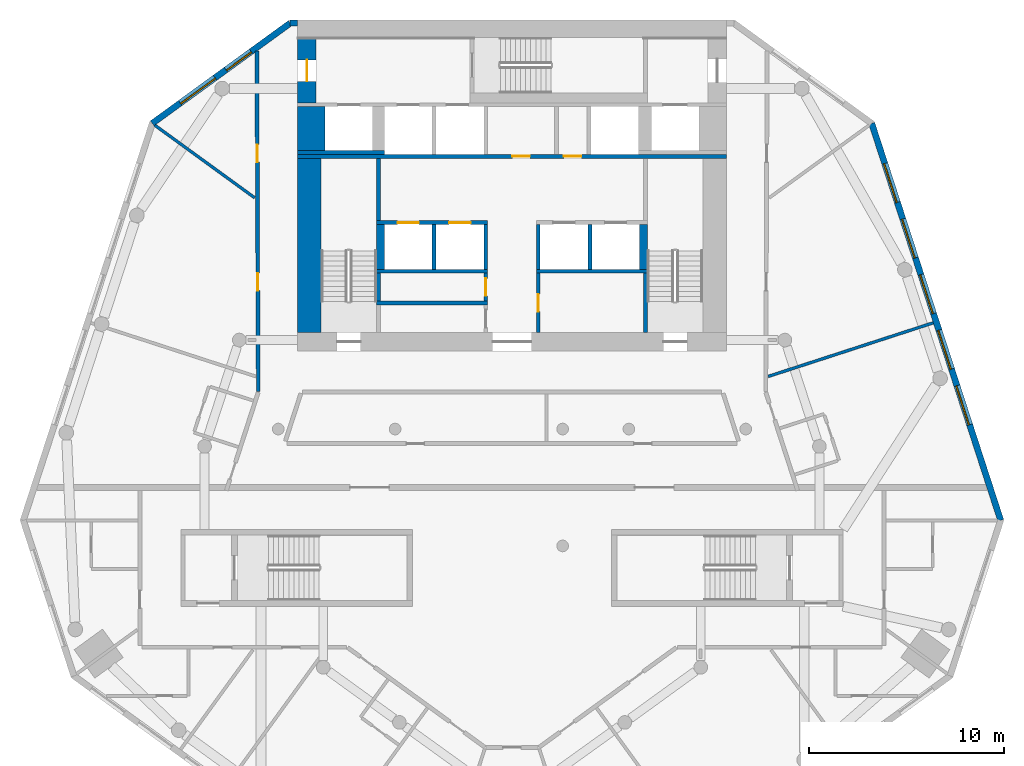
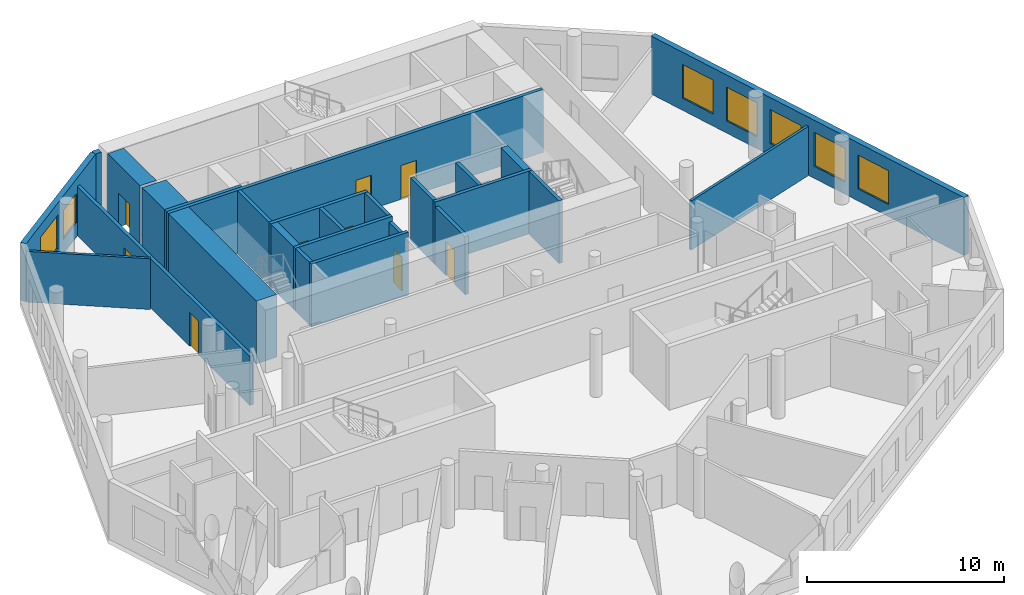
# One storey, part 5 of 9: 26 walls, 9 doors, 7 windows, 16 openings.
"""IFC4 building model written with IfcOpenShell, lengths in metres."""

from ifc_helpers import new_model, si_unit, direction, frame, frame_2d, origin, place, context, subcontext, project, spatial, rectangle, extrude, material, layer, layer_set, type_object, element, fill, save


model = new_model("IFC4")

# Units and contexts
model_context = context("Model", 3, precision=1e-05, world=origin(), true_north=direction((0.0, 1.0)))
body_context = subcontext(model_context, "Body", "Model", "MODEL_VIEW")
ifc_project = project(units=[si_unit("LENGTHUNIT", "METRE"), si_unit("AREAUNIT", "SQUARE_METRE"), si_unit("VOLUMEUNIT", "CUBIC_METRE"), si_unit("PLANEANGLEUNIT", "RADIAN"), si_unit("MASSUNIT", "GRAM", prefix="KILO")], contexts=[model_context])

# Site, building, storey
site_placement = place(None, origin())
site = spatial("IfcSite", under=ifc_project, at=site_placement, CompositionType="ELEMENT")
building_placement = place(site_placement, origin())
building = spatial("IfcBuilding", under=site, at=building_placement, Name="White Candle Pilgrim Tower", CompositionType="ELEMENT")
storey_placement = place(building_placement, frame((0.0, 0.0, 179.800048828125)))
storey = spatial("IfcBuildingStorey", under=building, at=storey_placement, Name="L41", CompositionType="ELEMENT", Elevation=179.800048828125)

# Walls
ifc_material_1 = material(Name="Concrete C60/75", Category="concrete")
ifc_layer_1 = layer(ifc_material_1, 1.39990234375)
ifc_layer_set_1 = layer_set([ifc_layer_1], Name="Core wall 1400 mm Concrete C60/75")
wall_type_1 = type_object("IfcWallType", Name="Core wall 1400 mm Concrete C60/75", PredefinedType="SHEAR", material=ifc_layer_set_1)
wall_1_placement = place(storey_placement, frame((59.699951171875, 81.300048828125, 0.0), z_axis=(0.0, 0.0, 1.0), x_axis=(0.0, 1.0, 0.0)))
element("IfcWall", 1, at=wall_1_placement, inside=storey, type_object=wall_type_1, Name="WL-L41-C40", PredefinedType="SHEAR", context=body_context, shape_type="SweptSolid", body=[
    extrude(rectangle(XDim=2.25, YDim=1.39990234375, at=frame_2d((1.125, 0.0))), origin(), (0.0, 0.0, 1.0), 3.89990234375),
])
ifc_layer_2 = layer(ifc_material_1, 0.199951171875)
ifc_layer_set_2 = layer_set([ifc_layer_2], Name="Core wall 200 mm Concrete C60/75")
wall_type_2 = type_object("IfcWallType", Name="Core wall 200 mm Concrete C60/75", PredefinedType="SHEAR", material=ifc_layer_set_2)
wall_2_placement = place(storey_placement, frame((59.0, 81.199951171875, 0.0), z_axis=(0.0, 0.0, 1.0), x_axis=(1.0, 0.0, 0.0)))
element("IfcWall", 2, at=wall_2_placement, inside=storey, type_object=wall_type_2, Name="WL-L41-C34", PredefinedType="SHEAR", context=body_context, shape_type="SweptSolid", body=[
    extrude(rectangle(XDim=4.449951171875, YDim=0.199951171875, at=frame_2d((2.22509765625, 0.0))), origin(), (0.0, 0.0, 1.0), 3.89990234375),
])

# Wall, opening, door
ifc_layer_3 = layer(ifc_material_1, 0.949951171875)
ifc_layer_set_3 = layer_set([ifc_layer_3], Name="Core wall 950 mm Concrete C60/75")
wall_type_3 = type_object("IfcWallType", Name="Core wall 950 mm Concrete C60/75", PredefinedType="SHEAR", material=ifc_layer_set_3)
wall_3_placement = place(storey_placement, frame((59.47509765625, 83.75, 0.0), z_axis=(0.0, 0.0, 1.0), x_axis=(0.0, 1.0, 0.0)))
wall_3 = element("IfcWall", 3, at=wall_3_placement, inside=storey, type_object=wall_type_3, Name="WL-L41-C45", PredefinedType="SHEAR", context=body_context, shape_type="SweptSolid", body=[
    extrude(rectangle(XDim=3.300048828125, YDim=0.949951171875, at=frame_2d((1.64990234375, 0.0))), origin(), (0.0, 0.0, 1.0), 3.89990234375),
])
opening_1_placement = place(wall_3_placement, frame((1.10009765625, 0.0, 0.0)))
opening_1 = element("IfcOpeningElement", 4, at=opening_1_placement, cuts=wall_3, Name="Opening T12-008", PredefinedType="OPENING", context=body_context, shape_type="SweptSolid", body=[
    extrude(rectangle(XDim=1.10009765625, YDim=2.10009765625, at=frame_2d((0.550048828125, 1.050048828125))), frame((0.0, 0.48486328125, 0.0), z_axis=(0.0, -1.0, 0.0), x_axis=(1.0, 0.0, 0.0)), (0.0, 0.0, 1.0), 0.969970703125),
])
ifc_material_2 = material(Name="Steel door leaf", Category="steel")
door_type_1 = type_object("IfcDoorType", Name="Fire door 1100 x 2100 EI 60", OperationType="NOTDEFINED", PredefinedType="DOOR", material=ifc_material_2)
door_1_placement = place(opening_1_placement, origin())
door_1 = element("IfcDoor", 5, at=door_1_placement, inside=storey, type_object=door_type_1, Name="Door T12-008", OperationType="SINGLE_SWING_RIGHT", OverallHeight=2.10009765625, OverallWidth=1.10009765625, PredefinedType="DOOR", context=body_context, shape_type="SweptSolid", body=[
    extrude(rectangle(XDim=1.10009765625, YDim=2.10009765625, at=frame_2d((0.550048828125, 1.050048828125))), frame((0.0, 0.02490234375, 0.0), z_axis=(0.0, -1.0, 0.0), x_axis=(1.0, 0.0, 0.0)), (0.0, 0.0, 1.0), 0.050048828125),
])
fill(opening_1, door_1)

# Wall, openings, doors
ifc_material_3 = material(Name="Gypsum board on steel studs", Category="steel")
ifc_layer_4 = layer(ifc_material_3, 0.199951171875)
ifc_layer_set_4 = layer_set([ifc_layer_4], Name="Corridor wall 200 mm EI 45")
wall_type_4 = type_object("IfcWallType", Name="Corridor wall 200 mm EI 45", PredefinedType="PARTITIONING", material=ifc_layer_set_4)
wall_4_placement = place(storey_placement, frame((56.975341796875, 68.916015625, 0.0), z_axis=(0.0, 0.0, 1.0), x_axis=(-0.004315662543, 0.999990687485, 0.0)))
wall_4 = element("IfcWall", 6, at=wall_4_placement, inside=storey, type_object=wall_type_4, Name="WL-L41-P003", PredefinedType="PARTITIONING", context=body_context, shape_type="SweptSolid", body=[
    extrude(rectangle(XDim=17.48046875, YDim=0.199951171875, at=frame_2d((8.740234375, 0.0))), origin(), (0.0, 0.0, 1.0), 3.050048828125),
])
opening_2_placement = place(wall_4_placement, frame((5.194580078125, 0.0, 0.0)))
opening_2 = element("IfcOpeningElement", 7, at=opening_2_placement, cuts=wall_4, Name="Opening T12-123", PredefinedType="OPENING", context=body_context, shape_type="SweptSolid", body=[
    extrude(rectangle(XDim=0.89990234375, YDim=2.10009765625, at=frame_2d((0.449951171875, 1.050048828125))), frame((0.0, 0.10986328125, 0.0), z_axis=(0.0, -1.0, 0.0), x_axis=(1.0, 0.0, 0.0)), (0.0, 0.0, 1.0), 0.219970703125),
])
opening_3_placement = place(wall_4_placement, frame((11.7861328125, 0.0, 0.0)))
opening_3 = element("IfcOpeningElement", 8, at=opening_3_placement, cuts=wall_4, Name="Opening T12-124", PredefinedType="OPENING", context=body_context, shape_type="SweptSolid", body=[
    extrude(rectangle(XDim=0.89990234375, YDim=2.10009765625, at=frame_2d((0.449951171875, 1.050048828125))), frame((0.0, 0.10986328125, 0.0), z_axis=(0.0, -1.0, 0.0), x_axis=(1.0, 0.0, 0.0)), (0.0, 0.0, 1.0), 0.219970703125),
])
door_type_2 = type_object("IfcDoorType", Name="Fire door 900 x 2100 EI 30", OperationType="NOTDEFINED", PredefinedType="DOOR", material=ifc_material_2)
door_2_placement = place(opening_2_placement, origin())
door_2 = element("IfcDoor", 9, at=door_2_placement, inside=storey, type_object=door_type_2, Name="Door T12-123", OperationType="SINGLE_SWING_LEFT", OverallHeight=2.10009765625, OverallWidth=0.89990234375, PredefinedType="DOOR", context=body_context, shape_type="SweptSolid", body=[
    extrude(rectangle(XDim=0.89990234375, YDim=2.10009765625, at=frame_2d((0.449951171875, 1.050048828125))), frame((0.0, 0.02490234375, 0.0), z_axis=(0.0, -1.0, 0.0), x_axis=(1.0, 0.0, 0.0)), (0.0, 0.0, 1.0), 0.050048828125),
])
fill(opening_2, door_2)
door_3_placement = place(opening_3_placement, origin())
door_3 = element("IfcDoor", 10, at=door_3_placement, inside=storey, type_object=door_type_2, Name="Door T12-124", OperationType="SINGLE_SWING_RIGHT", OverallHeight=2.10009765625, OverallWidth=0.89990234375, PredefinedType="DOOR", context=body_context, shape_type="SweptSolid", body=[
    extrude(rectangle(XDim=0.89990234375, YDim=2.10009765625, at=frame_2d((0.449951171875, 1.050048828125))), frame((0.0, 0.02490234375, 0.0), z_axis=(0.0, -1.0, 0.0), x_axis=(1.0, 0.0, 0.0)), (0.0, 0.0, 1.0), 0.050048828125),
])
fill(opening_3, door_3)

# Wall, openings, windows
ifc_material_4 = material(Name="Precast concrete C40/50", Category="concrete")
ifc_layer_5 = layer(ifc_material_4, 0.320068359375)
ifc_layer_set_5 = layer_set([ifc_layer_5], Name="Facade wall EW1 precast concrete C40/50 pier wall with timber-lined reveals")
wall_type_5 = type_object("IfcWallType", Name="Facade wall EW1 precast concrete C40/50 pier wall with timber-lined reveals", PredefinedType="SOLIDWALL", material=ifc_layer_set_5)
wall_5_placement = place(storey_placement, frame((95.090087890625, 62.314453125, 0.0), z_axis=(0.0, 0.0, 1.0), x_axis=(-0.309016769675, 0.951056589304, 0.0)))
wall_5 = element("IfcWall", 11, at=wall_5_placement, inside=storey, type_object=wall_type_5, Name="Facade wall L41 ENE", PredefinedType="SOLIDWALL", context=body_context, shape_type="SweptSolid", body=[
    extrude(rectangle(XDim=21.427978515625, YDim=0.320068359375, at=frame_2d((10.7138671875, 0.0))), origin(), (0.0, 0.0, 1.0), 3.599853515625),
])
opening_4_placement = place(wall_5_placement, frame((5.163818359375, 0.0, 0.75)))
opening_4 = element("IfcOpeningElement", 12, at=opening_4_placement, cuts=wall_5, Name="Opening W3", PredefinedType="OPENING", context=body_context, shape_type="SweptSolid", body=[
    extrude(rectangle(XDim=2.10009765625, YDim=2.10009765625, at=frame_2d((1.050048828125, 1.050048828125))), frame((0.0, 0.169921875, 0.0), z_axis=(0.0, -1.0, 0.0), x_axis=(1.0, 0.0, 0.0)), (0.0, 0.0, 1.0), 0.340087890625),
])
opening_5_placement = place(wall_5_placement, frame((8.163818359375, 0.0, 0.75)))
opening_5 = element("IfcOpeningElement", 13, at=opening_5_placement, cuts=wall_5, Name="Opening W3", PredefinedType="OPENING", context=body_context, shape_type="SweptSolid", body=[
    extrude(rectangle(XDim=2.10009765625, YDim=2.10009765625, at=frame_2d((1.050048828125, 1.050048828125))), frame((0.0, 0.169921875, 0.0), z_axis=(0.0, -1.0, 0.0), x_axis=(1.0, 0.0, 0.0)), (0.0, 0.0, 1.0), 0.340087890625),
])
opening_6_placement = place(wall_5_placement, frame((11.163818359375, 0.0, 0.75)))
opening_6 = element("IfcOpeningElement", 14, at=opening_6_placement, cuts=wall_5, Name="Opening W3", PredefinedType="OPENING", context=body_context, shape_type="SweptSolid", body=[
    extrude(rectangle(XDim=2.10009765625, YDim=2.10009765625, at=frame_2d((1.050048828125, 1.050048828125))), frame((0.0, 0.169921875, 0.0), z_axis=(0.0, -1.0, 0.0), x_axis=(1.0, 0.0, 0.0)), (0.0, 0.0, 1.0), 0.340087890625),
])
opening_7_placement = place(wall_5_placement, frame((14.163818359375, 0.0, 0.75)))
opening_7 = element("IfcOpeningElement", 15, at=opening_7_placement, cuts=wall_5, Name="Opening W3", PredefinedType="OPENING", context=body_context, shape_type="SweptSolid", body=[
    extrude(rectangle(XDim=2.10009765625, YDim=2.10009765625, at=frame_2d((1.050048828125, 1.050048828125))), frame((0.0, 0.169921875, 0.0), z_axis=(0.0, -1.0, 0.0), x_axis=(1.0, 0.0, 0.0)), (0.0, 0.0, 1.0), 0.340087890625),
])
opening_8_placement = place(wall_5_placement, frame((17.163818359375, 0.0, 0.75)))
opening_8 = element("IfcOpeningElement", 16, at=opening_8_placement, cuts=wall_5, Name="Opening W3", PredefinedType="OPENING", context=body_context, shape_type="SweptSolid", body=[
    extrude(rectangle(XDim=2.10009765625, YDim=2.10009765625, at=frame_2d((1.050048828125, 1.050048828125))), frame((0.0, 0.169921875, 0.0), z_axis=(0.0, -1.0, 0.0), x_axis=(1.0, 0.0, 0.0)), (0.0, 0.0, 1.0), 0.340087890625),
])
ifc_material_5 = material(Name="Timber frame with triple glazing", Category="wood")
window_type_1 = type_object("IfcWindowType", Name="Window W3 2100x2100 timber frame triple glazing", PartitioningType="SINGLE_PANEL", PredefinedType="WINDOW", material=ifc_material_5)
window_1_placement = place(opening_4_placement, origin())
window_1 = element("IfcWindow", 17, at=window_1_placement, inside=storey, type_object=window_type_1, Name="Window W3 L41 ENE 2", OverallHeight=2.10009765625, OverallWidth=2.10009765625, PartitioningType="SINGLE_PANEL", PredefinedType="WINDOW", context=body_context, shape_type="SweptSolid", body=[
    extrude(rectangle(XDim=2.10009765625, YDim=2.10009765625, at=frame_2d((1.050048828125, 1.050048828125))), frame((0.0, 0.070068359375, 0.0), z_axis=(0.0, -1.0, 0.0), x_axis=(1.0, 0.0, 0.0)), (0.0, 0.0, 1.0), 0.06005859375),
])
fill(opening_4, window_1)
window_2_placement = place(opening_5_placement, origin())
window_2 = element("IfcWindow", 18, at=window_2_placement, inside=storey, type_object=window_type_1, Name="Window W3 L41 ENE 3", OverallHeight=2.10009765625, OverallWidth=2.10009765625, PartitioningType="SINGLE_PANEL", PredefinedType="WINDOW", context=body_context, shape_type="SweptSolid", body=[
    extrude(rectangle(XDim=2.10009765625, YDim=2.10009765625, at=frame_2d((1.050048828125, 1.050048828125))), frame((0.0, 0.070068359375, 0.0), z_axis=(0.0, -1.0, 0.0), x_axis=(1.0, 0.0, 0.0)), (0.0, 0.0, 1.0), 0.06005859375),
])
fill(opening_5, window_2)
window_3_placement = place(opening_6_placement, origin())
window_3 = element("IfcWindow", 19, at=window_3_placement, inside=storey, type_object=window_type_1, Name="Window W3 L41 ENE 4", OverallHeight=2.10009765625, OverallWidth=2.10009765625, PartitioningType="SINGLE_PANEL", PredefinedType="WINDOW", context=body_context, shape_type="SweptSolid", body=[
    extrude(rectangle(XDim=2.10009765625, YDim=2.10009765625, at=frame_2d((1.050048828125, 1.050048828125))), frame((0.0, 0.070068359375, 0.0), z_axis=(0.0, -1.0, 0.0), x_axis=(1.0, 0.0, 0.0)), (0.0, 0.0, 1.0), 0.06005859375),
])
fill(opening_6, window_3)
window_4_placement = place(opening_7_placement, origin())
window_4 = element("IfcWindow", 20, at=window_4_placement, inside=storey, type_object=window_type_1, Name="Window W3 L41 ENE 5", OverallHeight=2.10009765625, OverallWidth=2.10009765625, PartitioningType="SINGLE_PANEL", PredefinedType="WINDOW", context=body_context, shape_type="SweptSolid", body=[
    extrude(rectangle(XDim=2.10009765625, YDim=2.10009765625, at=frame_2d((1.050048828125, 1.050048828125))), frame((0.0, 0.070068359375, 0.0), z_axis=(0.0, -1.0, 0.0), x_axis=(1.0, 0.0, 0.0)), (0.0, 0.0, 1.0), 0.06005859375),
])
fill(opening_7, window_4)
window_5_placement = place(opening_8_placement, origin())
window_5 = element("IfcWindow", 21, at=window_5_placement, inside=storey, type_object=window_type_1, Name="Window W3 L41 ENE 6", OverallHeight=2.10009765625, OverallWidth=2.10009765625, PartitioningType="SINGLE_PANEL", PredefinedType="WINDOW", context=body_context, shape_type="SweptSolid", body=[
    extrude(rectangle(XDim=2.10009765625, YDim=2.10009765625, at=frame_2d((1.050048828125, 1.050048828125))), frame((0.0, 0.070068359375, 0.0), z_axis=(0.0, -1.0, 0.0), x_axis=(1.0, 0.0, 0.0)), (0.0, 0.0, 1.0), 0.06005859375),
])
fill(opening_8, window_5)

# Wall
wall_6_placement = place(storey_placement, frame((59.0, 87.840087890625, 0.0), z_axis=(0.0, 0.0, 1.0), x_axis=(-1.0, 0.0, 0.0)))
element("IfcWall", 22, at=wall_6_placement, inside=storey, type_object=wall_type_5, Name="Facade wall L41 N", PredefinedType="SOLIDWALL", context=body_context, shape_type="SweptSolid", body=[
    extrude(rectangle(XDim=0.385009765625, YDim=0.320068359375, at=frame_2d((0.1923828125, 0.0))), origin(), (0.0, 0.0, 1.0), 3.599853515625),
])

# Wall, openings, windows
wall_7_placement = place(storey_placement, frame((58.614990234375, 87.840087890625, 0.0), z_axis=(0.0, 0.0, 1.0), x_axis=(-0.809015733499, -0.587786987735, 0.0)))
wall_7 = element("IfcWall", 23, at=wall_7_placement, inside=storey, type_object=wall_type_5, Name="Facade wall L41 NW chamfer", PredefinedType="SOLIDWALL", context=body_context, shape_type="SweptSolid", body=[
    extrude(rectangle(XDim=8.755615234375, YDim=0.320068359375, at=frame_2d((4.3779296875, 0.0))), origin(), (0.0, 0.0, 1.0), 3.599853515625),
])
opening_9_placement = place(wall_7_placement, frame((2.477783203125, 0.0, 0.89990234375)))
opening_9 = element("IfcOpeningElement", 24, at=opening_9_placement, cuts=wall_7, Name="Opening W2", PredefinedType="OPENING", context=body_context, shape_type="SweptSolid", body=[
    extrude(rectangle(XDim=1.60009765625, YDim=1.800048828125, at=frame_2d((0.800048828125, 0.89990234375))), frame((0.0, 0.169921875, 0.0), z_axis=(0.0, -1.0, 0.0), x_axis=(1.0, 0.0, 0.0)), (0.0, 0.0, 1.0), 0.340087890625),
])
opening_10_placement = place(wall_7_placement, frame((4.77783203125, 0.0, 0.75)))
opening_10 = element("IfcOpeningElement", 25, at=opening_10_placement, cuts=wall_7, Name="Opening W4", PredefinedType="OPENING", context=body_context, shape_type="SweptSolid", body=[
    extrude(rectangle(XDim=2.199951171875, YDim=2.10009765625, at=frame_2d((1.10009765625, 1.050048828125))), frame((0.0, 0.169921875, 0.0), z_axis=(0.0, -1.0, 0.0), x_axis=(1.0, 0.0, 0.0)), (0.0, 0.0, 1.0), 0.340087890625),
])
window_type_2 = type_object("IfcWindowType", Name="Window W2 1600x1800 timber frame triple glazing", PartitioningType="SINGLE_PANEL", PredefinedType="WINDOW", material=ifc_material_5)
window_6_placement = place(opening_9_placement, origin())
window_6 = element("IfcWindow", 26, at=window_6_placement, inside=storey, type_object=window_type_2, Name="Window W2 L41 NW chamfer 1", OverallHeight=1.800048828125, OverallWidth=1.60009765625, PartitioningType="SINGLE_PANEL", PredefinedType="WINDOW", context=body_context, shape_type="SweptSolid", body=[
    extrude(rectangle(XDim=1.60009765625, YDim=1.800048828125, at=frame_2d((0.800048828125, 0.89990234375))), frame((0.0, 0.070068359375, 0.0), z_axis=(0.0, -1.0, 0.0), x_axis=(1.0, 0.0, 0.0)), (0.0, 0.0, 1.0), 0.06005859375),
])
fill(opening_9, window_6)
window_type_3 = type_object("IfcWindowType", Name="Window W4 2200x2100 timber frame triple glazing", PartitioningType="SINGLE_PANEL", PredefinedType="WINDOW", material=ifc_material_5)
window_7_placement = place(opening_10_placement, origin())
window_7 = element("IfcWindow", 27, at=window_7_placement, inside=storey, type_object=window_type_3, Name="Window W4 L41 NW chamfer 2", OverallHeight=2.10009765625, OverallWidth=2.199951171875, PartitioningType="SINGLE_PANEL", PredefinedType="WINDOW", context=body_context, shape_type="SweptSolid", body=[
    extrude(rectangle(XDim=2.199951171875, YDim=2.10009765625, at=frame_2d((1.10009765625, 1.050048828125))), frame((0.0, 0.070068359375, 0.0), z_axis=(0.0, -1.0, 0.0), x_axis=(1.0, 0.0, 0.0)), (0.0, 0.0, 1.0), 0.06005859375),
])
fill(opening_10, window_7)

# Wall, opening, door
ifc_layer_6 = layer(ifc_material_3, 0.199951171875)
ifc_layer_set_6 = layer_set([ifc_layer_6], Name="Lobby wall 200 mm EI 60")
wall_type_6 = type_object("IfcWallType", Name="Lobby wall 200 mm EI 60", PredefinedType="PARTITIONING", material=ifc_layer_set_6)
wall_8_placement = place(storey_placement, frame((71.35009765625, 71.949951171875, 0.0), z_axis=(0.0, 0.0, 1.0), x_axis=(0.0, 1.0, 0.0)))
wall_8 = element("IfcWall", 28, at=wall_8_placement, inside=storey, type_object=wall_type_6, Name="WL-L41-C15", PredefinedType="PARTITIONING", context=body_context, shape_type="SweptSolid", body=[
    extrude(rectangle(XDim=3.050048828125, YDim=0.199951171875, at=frame_2d((1.52490234375, 0.0))), origin(), (0.0, 0.0, 1.0), 3.599853515625),
])
opening_11_placement = place(wall_8_placement, frame((1.074951171875, 0.0, 0.0)))
opening_11 = element("IfcOpeningElement", 29, at=opening_11_placement, cuts=wall_8, Name="Opening T12-007", PredefinedType="OPENING", context=body_context, shape_type="SweptSolid", body=[
    extrude(rectangle(XDim=0.89990234375, YDim=2.10009765625, at=frame_2d((0.449951171875, 1.050048828125))), frame((0.0, 0.10986328125, 0.0), z_axis=(0.0, -1.0, 0.0), x_axis=(1.0, 0.0, 0.0)), (0.0, 0.0, 1.0), 0.219970703125),
])
door_4_placement = place(opening_11_placement, origin())
door_4 = element("IfcDoor", 30, at=door_4_placement, inside=storey, type_object=door_type_2, Name="Door T12-007", OperationType="SINGLE_SWING_LEFT", OverallHeight=2.10009765625, OverallWidth=0.89990234375, PredefinedType="DOOR", context=body_context, shape_type="SweptSolid", body=[
    extrude(rectangle(XDim=0.89990234375, YDim=2.10009765625, at=frame_2d((0.449951171875, 1.050048828125))), frame((0.0, 0.02490234375, 0.0), z_axis=(0.0, -1.0, 0.0), x_axis=(1.0, 0.0, 0.0)), (0.0, 0.0, 1.0), 0.050048828125),
])
fill(opening_11, door_4)

wall_9_placement = place(storey_placement, frame((68.64990234375, 73.574951171875, 0.0), z_axis=(0.0, 0.0, 1.0), x_axis=(0.0, 1.0, 0.0)))
wall_9 = element("IfcWall", 31, at=wall_9_placement, inside=storey, type_object=wall_type_6, Name="WL-L41-C20", PredefinedType="PARTITIONING", context=body_context, shape_type="SweptSolid", body=[
    extrude(rectangle(XDim=1.425048828125, YDim=0.199951171875, at=frame_2d((0.71240234375, 0.0))), origin(), (0.0, 0.0, 1.0), 3.599853515625),
])
opening_12_placement = place(wall_9_placement, frame((0.262451171875, 0.0, 0.0)))
opening_12 = element("IfcOpeningElement", 32, at=opening_12_placement, cuts=wall_9, Name="Opening T12-006", PredefinedType="OPENING", context=body_context, shape_type="SweptSolid", body=[
    extrude(rectangle(XDim=0.89990234375, YDim=2.10009765625, at=frame_2d((0.449951171875, 1.050048828125))), frame((0.0, 0.10986328125, 0.0), z_axis=(0.0, -1.0, 0.0), x_axis=(1.0, 0.0, 0.0)), (0.0, 0.0, 1.0), 0.219970703125),
])
door_5_placement = place(opening_12_placement, origin())
door_5 = element("IfcDoor", 33, at=door_5_placement, inside=storey, type_object=door_type_2, Name="Door T12-006", OperationType="SINGLE_SWING_RIGHT", OverallHeight=2.10009765625, OverallWidth=0.89990234375, PredefinedType="DOOR", context=body_context, shape_type="SweptSolid", body=[
    extrude(rectangle(XDim=0.89990234375, YDim=2.10009765625, at=frame_2d((0.449951171875, 1.050048828125))), frame((0.0, 0.02490234375, 0.0), z_axis=(0.0, -1.0, 0.0), x_axis=(1.0, 0.0, 0.0)), (0.0, 0.0, 1.0), 0.050048828125),
])
fill(opening_12, door_5)

# Walls
ifc_layer_7 = layer(ifc_material_3, 0.14990234375)
ifc_layer_set_7 = layer_set([ifc_layer_7], Name="Partition 150 mm EI 60")
wall_type_7 = type_object("IfcWallType", Name="Partition 150 mm EI 60", PredefinedType="PARTITIONING", material=ifc_layer_set_7)
wall_10_placement = place(storey_placement, frame((51.66748046875, 82.594482421875, 0.0), z_axis=(0.0, 0.0, 1.0), x_axis=(0.809026220211, -0.587772553809, 0.0)))
element("IfcWall", 34, at=wall_10_placement, inside=storey, type_object=wall_type_7, Name="WL-L41-P017", PredefinedType="PARTITIONING", context=body_context, shape_type="SweptSolid", body=[
    extrude(rectangle(XDim=6.329345703125, YDim=0.14990234375, at=frame_2d((3.16455078125, 0.0))), origin(), (0.0, 0.0, 1.0), 3.14990234375),
])
wall_11_placement = place(storey_placement, frame((91.627197265625, 72.45458984375, 0.0), z_axis=(0.0, 0.0, 1.0), x_axis=(-0.951055809184, -0.30901917063, 0.0)))
element("IfcWall", 35, at=wall_11_placement, inside=storey, type_object=wall_type_7, Name="WL-L41-P044", PredefinedType="PARTITIONING", context=body_context, shape_type="SweptSolid", body=[
    extrude(rectangle(XDim=8.911865234375, YDim=0.14990234375, at=frame_2d((4.4560546875, 0.0))), origin(), (0.0, 0.0, 1.0), 3.050048828125),
])
ifc_layer_8 = layer(ifc_material_1, 0.199951171875)
ifc_layer_set_8 = layer_set([ifc_layer_8], Name="Shaft wall 200 mm Concrete C60/75")
wall_type_8 = type_object("IfcWallType", Name="Shaft wall 200 mm Concrete C60/75", PredefinedType="SHEAR", material=ifc_layer_set_8)
for number, where, z_axis, x_axis, name in (
    (36, (66.0, 75.199951171875, 0.0), (0.0, 0.0, 1.0), (0.0, 1.0, 0.0), "WL-L41-C24"),
    (37, (68.64990234375, 75.199951171875, 0.0), (0.0, 0.0, 1.0), (0.0, 1.0, 0.0), "WL-L41-C25"),
    (38, (71.35009765625, 75.199951171875, 0.0), (0.0, 0.0, 1.0), (0.0, 1.0, 0.0), "WL-L41-C26"),
    (39, (74.0, 75.199951171875, 0.0), (0.0, 0.0, 1.0), (0.0, 1.0, 0.0), "WL-L41-C27"),
):
    element("IfcWall", number, at=place(storey_placement, frame(where, z_axis=z_axis, x_axis=x_axis)), inside=storey, type_object=wall_type_8, Name=name, PredefinedType="SHEAR", context=body_context, shape_type="SweptSolid", body=[
        extrude(rectangle(XDim=2.300048828125, YDim=0.199951171875, at=frame_2d((1.14990234375, 0.0))), origin(), (0.0, 0.0, 1.0), 3.89990234375),
    ])
ifc_layer_9 = layer(ifc_material_1, 1.199951171875)
ifc_layer_set_9 = layer_set([ifc_layer_9], Name="Stair shaft wall 1200 mm Concrete C60/75")
wall_type_9 = type_object("IfcWallType", Name="Stair shaft wall 1200 mm Concrete C60/75", PredefinedType="SHEAR", material=ifc_layer_set_9)
wall_12_placement = place(storey_placement, frame((59.60009765625, 71.949951171875, 0.0), z_axis=(0.0, 0.0, 1.0), x_axis=(0.0, 1.0, 0.0)))
element("IfcWall", 40, at=wall_12_placement, inside=storey, type_object=wall_type_9, Name="WL-L41-C12", PredefinedType="SHEAR", context=body_context, shape_type="SweptSolid", body=[
    extrude(rectangle(XDim=8.949951171875, YDim=1.199951171875, at=frame_2d((4.47509765625, 0.0))), origin(), (0.0, 0.0, 1.0), 3.89990234375),
])
ifc_layer_10 = layer(ifc_material_1, 0.199951171875)
ifc_layer_set_10 = layer_set([ifc_layer_10], Name="Stair shaft wall 200 mm Concrete C60/75")
wall_type_10 = type_object("IfcWallType", Name="Stair shaft wall 200 mm Concrete C60/75", PredefinedType="SHEAR", material=ifc_layer_set_10)
wall_13_placement = place(storey_placement, frame((76.85009765625, 71.949951171875, 0.0), z_axis=(0.0, 0.0, 1.0), x_axis=(0.0, 1.0, 0.0)))
element("IfcWall", 41, at=wall_13_placement, inside=storey, type_object=wall_type_10, Name="WL-L41-C16", PredefinedType="SHEAR", context=body_context, shape_type="SweptSolid", body=[
    extrude(rectangle(XDim=3.050048828125, YDim=0.199951171875, at=frame_2d((1.52490234375, 0.0))), origin(), (0.0, 0.0, 1.0), 3.89990234375),
])
wall_14_placement = place(storey_placement, frame((63.050048828125, 73.47509765625, 0.0), z_axis=(0.0, 0.0, 1.0), x_axis=(1.0, 0.0, 0.0)))
element("IfcWall", 42, at=wall_14_placement, inside=storey, type_object=wall_type_10, Name="WL-L41-C18", PredefinedType="SHEAR", context=body_context, shape_type="SweptSolid", body=[
    extrude(rectangle(XDim=5.699951171875, YDim=0.199951171875, at=frame_2d((2.85009765625, 0.0))), origin(), (0.0, 0.0, 1.0), 3.89990234375),
])
wall_15_placement = place(storey_placement, frame((63.14990234375, 73.574951171875, 0.0), z_axis=(0.0, 0.0, 1.0), x_axis=(0.0, 1.0, 0.0)))
element("IfcWall", 43, at=wall_15_placement, inside=storey, type_object=wall_type_10, Name="WL-L41-C19", PredefinedType="SHEAR", context=body_context, shape_type="SweptSolid", body=[
    extrude(rectangle(XDim=1.425048828125, YDim=0.199951171875, at=frame_2d((0.71240234375, 0.0))), origin(), (0.0, 0.0, 1.0), 3.89990234375),
])
for number, where, z_axis, x_axis, name in (
    (44, (63.050048828125, 75.10009765625, 0.0), (0.0, 0.0, 1.0), (1.0, 0.0, 0.0), "WL-L41-C21"),
    (45, (71.25, 75.10009765625, 0.0), (0.0, 0.0, 1.0), (1.0, 0.0, 0.0), "WL-L41-C22"),
):
    element("IfcWall", number, at=place(storey_placement, frame(where, z_axis=z_axis, x_axis=x_axis)), inside=storey, type_object=wall_type_10, Name=name, PredefinedType="SHEAR", context=body_context, shape_type="SweptSolid", body=[
        extrude(rectangle(XDim=5.699951171875, YDim=0.199951171875, at=frame_2d((2.85009765625, 0.0))), origin(), (0.0, 0.0, 1.0), 3.89990234375),
    ])

# Wall, openings, doors
wall_16_placement = place(storey_placement, frame((63.050048828125, 77.60009765625, 0.0), z_axis=(0.0, 0.0, 1.0), x_axis=(1.0, 0.0, 0.0)))
wall_16 = element("IfcWall", 46, at=wall_16_placement, inside=storey, type_object=wall_type_10, Name="WL-L41-C29", PredefinedType="SHEAR", context=body_context, shape_type="SweptSolid", body=[
    extrude(rectangle(XDim=5.699951171875, YDim=0.199951171875, at=frame_2d((2.85009765625, 0.0))), origin(), (0.0, 0.0, 1.0), 3.89990234375),
])
opening_13_placement = place(wall_16_placement, frame((1.074951171875, 0.0, 0.0)))
opening_13 = element("IfcOpeningElement", 47, at=opening_13_placement, cuts=wall_16, Name="Opening T12-014", PredefinedType="OPENING", context=body_context, shape_type="SweptSolid", body=[
    extrude(rectangle(XDim=1.10009765625, YDim=2.10009765625, at=frame_2d((0.550048828125, 1.050048828125))), frame((0.0, 0.10986328125, 0.0), z_axis=(0.0, -1.0, 0.0), x_axis=(1.0, 0.0, 0.0)), (0.0, 0.0, 1.0), 0.219970703125),
])
opening_14_placement = place(wall_16_placement, frame((3.72509765625, 0.0, 0.0)))
opening_14 = element("IfcOpeningElement", 48, at=opening_14_placement, cuts=wall_16, Name="Opening T12-015", PredefinedType="OPENING", context=body_context, shape_type="SweptSolid", body=[
    extrude(rectangle(XDim=1.10009765625, YDim=2.10009765625, at=frame_2d((0.550048828125, 1.050048828125))), frame((0.0, 0.10986328125, 0.0), z_axis=(0.0, -1.0, 0.0), x_axis=(1.0, 0.0, 0.0)), (0.0, 0.0, 1.0), 0.219970703125),
])
ifc_material_6 = material(Name="Stainless steel", Category="steel")
door_type_3 = type_object("IfcDoorType", Name="Lift landing door 1100 x 2100 E 60", OperationType="DOUBLE_DOOR_SLIDING", PredefinedType="DOOR", material=ifc_material_6)
door_6_placement = place(opening_13_placement, origin())
door_6 = element("IfcDoor", 49, at=door_6_placement, inside=storey, type_object=door_type_3, Name="Door T12-014", OperationType="DOUBLE_DOOR_SLIDING", OverallHeight=2.10009765625, OverallWidth=1.10009765625, PredefinedType="DOOR", context=body_context, shape_type="SweptSolid", body=[
    extrude(rectangle(XDim=1.10009765625, YDim=2.10009765625, at=frame_2d((0.550048828125, 1.050048828125))), frame((0.0, 0.02490234375, 0.0), z_axis=(0.0, -1.0, 0.0), x_axis=(1.0, 0.0, 0.0)), (0.0, 0.0, 1.0), 0.050048828125),
])
fill(opening_13, door_6)
door_7_placement = place(opening_14_placement, origin())
door_7 = element("IfcDoor", 50, at=door_7_placement, inside=storey, type_object=door_type_3, Name="Door T12-015", OperationType="DOUBLE_DOOR_SLIDING", OverallHeight=2.10009765625, OverallWidth=1.10009765625, PredefinedType="DOOR", context=body_context, shape_type="SweptSolid", body=[
    extrude(rectangle(XDim=1.10009765625, YDim=2.10009765625, at=frame_2d((0.550048828125, 1.050048828125))), frame((0.0, 0.02490234375, 0.0), z_axis=(0.0, -1.0, 0.0), x_axis=(1.0, 0.0, 0.0)), (0.0, 0.0, 1.0), 0.050048828125),
])
fill(opening_14, door_7)

# Wall
wall_17_placement = place(storey_placement, frame((63.14990234375, 77.699951171875, 0.0), z_axis=(0.0, 0.0, 1.0), x_axis=(0.0, 1.0, 0.0)))
element("IfcWall", 51, at=wall_17_placement, inside=storey, type_object=wall_type_10, Name="WL-L41-C31", PredefinedType="SHEAR", context=body_context, shape_type="SweptSolid", body=[
    extrude(rectangle(XDim=3.199951171875, YDim=0.199951171875, at=frame_2d((1.60009765625, 0.0))), origin(), (0.0, 0.0, 1.0), 3.89990234375),
])

# Wall, openings, doors
wall_18_placement = place(storey_placement, frame((59.0, 81.0, 0.0), z_axis=(0.0, 0.0, 1.0), x_axis=(1.0, 0.0, 0.0)))
wall_18 = element("IfcWall", 52, at=wall_18_placement, inside=storey, type_object=wall_type_10, Name="WL-L41-C33", PredefinedType="SHEAR", context=body_context, shape_type="SweptSolid", body=[
    extrude(rectangle(XDim=22.0, YDim=0.199951171875, at=frame_2d((11.0, 0.0))), origin(), (0.0, 0.0, 1.0), 3.89990234375),
])
opening_15_placement = place(wall_18_placement, frame((11.014892578125, 0.0, 0.0)))
opening_15 = element("IfcOpeningElement", 53, at=opening_15_placement, cuts=wall_18, Name="Opening T12-022", PredefinedType="OPENING", context=body_context, shape_type="SweptSolid", body=[
    extrude(rectangle(XDim=0.89990234375, YDim=2.10009765625, at=frame_2d((0.449951171875, 1.050048828125))), frame((0.0, 0.10986328125, 0.0), z_axis=(0.0, -1.0, 0.0), x_axis=(1.0, 0.0, 0.0)), (0.0, 0.0, 1.0), 0.219970703125),
])
opening_16_placement = place(wall_18_placement, frame((13.6650390625, 0.0, 0.0)))
opening_16 = element("IfcOpeningElement", 54, at=opening_16_placement, cuts=wall_18, Name="Opening T12-023", PredefinedType="OPENING", context=body_context, shape_type="SweptSolid", body=[
    extrude(rectangle(XDim=0.89990234375, YDim=2.10009765625, at=frame_2d((0.449951171875, 1.050048828125))), frame((0.0, 0.10986328125, 0.0), z_axis=(0.0, -1.0, 0.0), x_axis=(1.0, 0.0, 0.0)), (0.0, 0.0, 1.0), 0.219970703125),
])
door_8_placement = place(opening_15_placement, origin())
door_8 = element("IfcDoor", 55, at=door_8_placement, inside=storey, type_object=door_type_2, Name="Door T12-022", OperationType="SINGLE_SWING_RIGHT", OverallHeight=2.10009765625, OverallWidth=0.89990234375, PredefinedType="DOOR", context=body_context, shape_type="SweptSolid", body=[
    extrude(rectangle(XDim=0.89990234375, YDim=2.10009765625, at=frame_2d((0.449951171875, 1.050048828125))), frame((0.0, 0.02490234375, 0.0), z_axis=(0.0, -1.0, 0.0), x_axis=(1.0, 0.0, 0.0)), (0.0, 0.0, 1.0), 0.050048828125),
])
fill(opening_15, door_8)
door_9_placement = place(opening_16_placement, origin())
door_9 = element("IfcDoor", 56, at=door_9_placement, inside=storey, type_object=door_type_2, Name="Door T12-023", OperationType="SINGLE_SWING_LEFT", OverallHeight=2.10009765625, OverallWidth=0.89990234375, PredefinedType="DOOR", context=body_context, shape_type="SweptSolid", body=[
    extrude(rectangle(XDim=0.89990234375, YDim=2.10009765625, at=frame_2d((0.449951171875, 1.050048828125))), frame((0.0, 0.02490234375, 0.0), z_axis=(0.0, -1.0, 0.0), x_axis=(1.0, 0.0, 0.0)), (0.0, 0.0, 1.0), 0.050048828125),
])
fill(opening_16, door_9)

# Walls
ifc_layer_11 = layer(ifc_material_1, 0.39990234375)
ifc_layer_set_11 = layer_set([ifc_layer_11], Name="Stair shaft wall 400 mm Concrete C60/75")
wall_type_11 = type_object("IfcWallType", Name="Stair shaft wall 400 mm Concrete C60/75", PredefinedType="SHEAR", material=ifc_layer_set_11)
for number, where, z_axis, x_axis, name in (
    (57, (63.25, 75.199951171875, 0.0), (0.0, 0.0, 1.0), (0.0, 1.0, 0.0), "WL-L41-C23"),
    (58, (76.75, 75.199951171875, 0.0), (0.0, 0.0, 1.0), (0.0, 1.0, 0.0), "WL-L41-C28"),
):
    element("IfcWall", number, at=place(storey_placement, frame(where, z_axis=z_axis, x_axis=x_axis)), inside=storey, type_object=wall_type_11, Name=name, PredefinedType="SHEAR", context=body_context, shape_type="SweptSolid", body=[
        extrude(rectangle(XDim=2.300048828125, YDim=0.39990234375, at=frame_2d((1.14990234375, 0.0))), origin(), (0.0, 0.0, 1.0), 3.89990234375),
    ])

save(model, "model.ifc")
